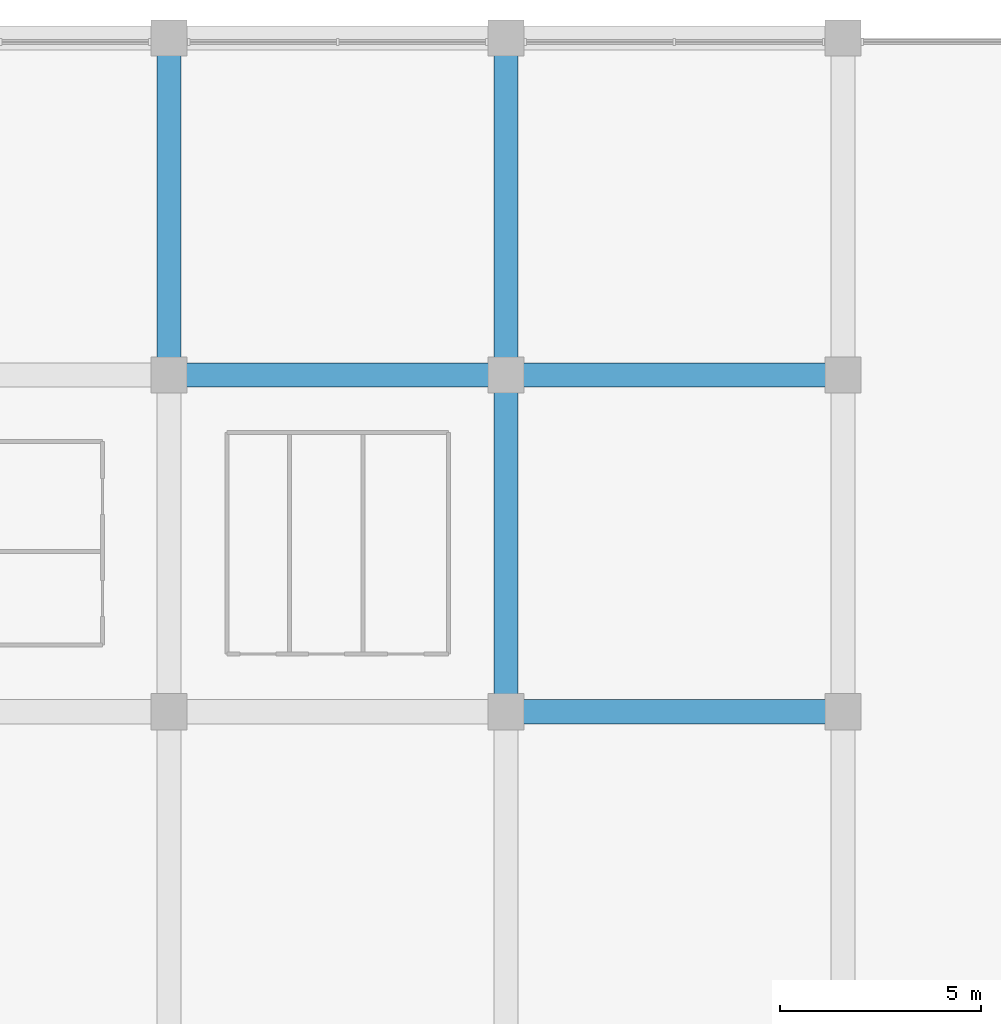
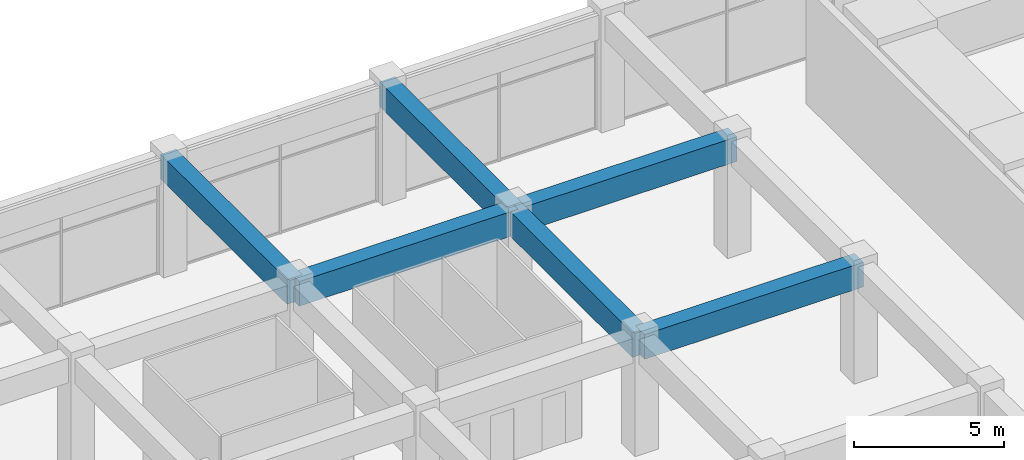
# One storey, part 17 of 34: 6 beams.
"""IFC4 building model written with IfcOpenShell, lengths in metres."""

from ifc_helpers import new_model, si_unit, direction, frame, origin, origin_2d, place, context, subcontext, project, spatial, rectangle, extrude, material, material_profile, profile_set, type_object, element, save


model = new_model("IFC4")

# Units and contexts
model_context = context("Model", 3, precision=1e-05, world=origin(), true_north=direction((0.0, 1.0)))
body_context = subcontext(model_context, "Body", "Model", "MODEL_VIEW")
ifc_project = project(units=[si_unit("LENGTHUNIT", "METRE"), si_unit("AREAUNIT", "SQUARE_METRE"), si_unit("VOLUMEUNIT", "CUBIC_METRE"), si_unit("PLANEANGLEUNIT", "RADIAN"), si_unit("MASSUNIT", "GRAM", prefix="KILO")], contexts=[model_context])

# Site, building, storey
site_placement = place(None, origin())
site = spatial("IfcSite", under=ifc_project, at=site_placement, CompositionType="ELEMENT")
building_placement = place(site_placement, origin())
building = spatial("IfcBuilding", under=site, at=building_placement, Name="Impinga Residences", CompositionType="ELEMENT")
storey_placement = place(building_placement, frame((0.0, 0.0, 11.0)))
storey = spatial("IfcBuildingStorey", under=building, at=storey_placement, Name="L02", CompositionType="ELEMENT", Elevation=11.0)

# Beams
ifc_material = material(Name="Concrete C60/75", Category="concrete")
ifc_material_profile = material_profile(ifc_material, rectangle(XDim=0.60009765625, YDim=1.0, at=origin_2d()), Name="RC 600x1000")
ifc_profile_set = profile_set([ifc_material_profile], Name="Concrete C60/75")
beam_type = type_object("IfcBeamType", Name="PB2 600x1000 podium beam", PredefinedType="BEAM", material=ifc_profile_set)
beam_1_placement = place(storey_placement, frame((-25.199951171875, 33.60009765625, 4.199951171875), z_axis=(1.0, 0.0, 0.0), x_axis=(0.0, 1.0, 0.0)))
element("IfcBeam", 1, at=beam_1_placement, inside=storey, type_object=beam_type, Name="Beam PB2 K/4-5 level L03", PredefinedType="BEAM", context=body_context, shape_type="SweptSolid", body=[
    extrude(rectangle(XDim=0.60009765625, YDim=1.0, at=origin_2d()), origin(), (0.0, 0.0, 1.0), 8.39990234375),
])
beam_2_placement = place(storey_placement, frame((-33.60009765625, 42.0, 4.199951171875), z_axis=(1.0, 0.0, 0.0), x_axis=(0.0, 1.0, 0.0)))
element("IfcBeam", 2, at=beam_2_placement, inside=storey, type_object=beam_type, Name="Beam PB2 L/3-4 level L03", PredefinedType="BEAM", context=body_context, shape_type="SweptSolid", body=[
    extrude(rectangle(XDim=0.60009765625, YDim=1.0, at=origin_2d()), origin(), (0.0, 0.0, 1.0), 8.400146484375),
])
for number, where, z_axis, x_axis, name in (
    (3, (-25.199951171875, 42.0, 4.199951171875), (1.0, 0.0, 0.0), (0.0, 1.0, 0.0), "Beam PB2 L/4-5 level L03"),
    (4, (-33.60009765625, 42.0, 4.199951171875), (0.0, 1.0, 0.0), (-1.0, 0.0, 0.0), "Beam PB2 3/L-M level L03"),
    (5, (-25.199951171875, 33.60009765625, 4.199951171875), (0.0, 1.0, 0.0), (-1.0, 0.0, 0.0), "Beam PB2 4/K-L level L03"),
    (6, (-25.199951171875, 42.0, 4.199951171875), (0.0, 1.0, 0.0), (-1.0, 0.0, 0.0), "Beam PB2 4/L-M level L03"),
):
    element("IfcBeam", number, at=place(storey_placement, frame(where, z_axis=z_axis, x_axis=x_axis)), inside=storey, type_object=beam_type, Name=name, PredefinedType="BEAM", context=body_context, shape_type="SweptSolid", body=[
        extrude(rectangle(XDim=0.60009765625, YDim=1.0, at=origin_2d()), origin(), (0.0, 0.0, 1.0), 8.39990234375),
    ])

save(model, "model.ifc")
